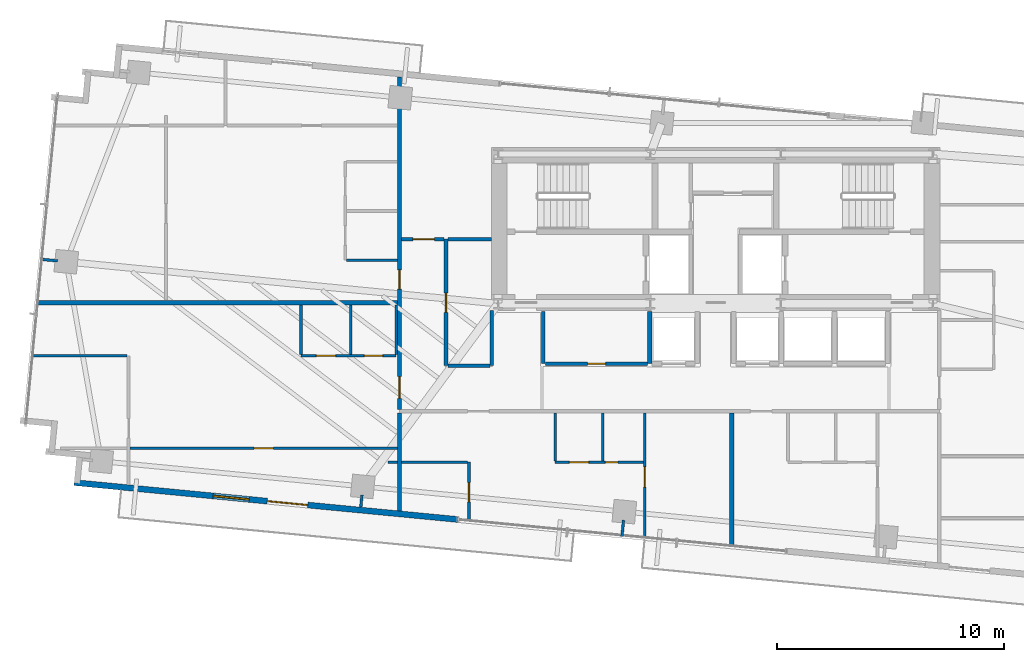
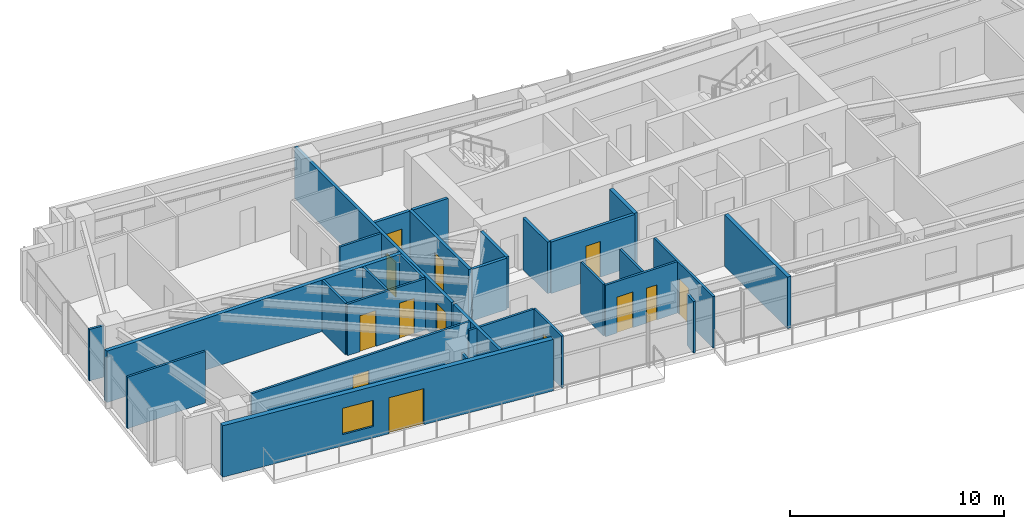
# One storey, part 15 of 20: 30 walls, 13 doors, 1 window, 14 openings.
"""IFC4 building model written with IfcOpenShell, lengths in metres."""

from ifc_helpers import new_model, si_unit, direction, frame, frame_2d, origin, place, context, subcontext, project, spatial, rectangle, extrude, source, transform, mapped, material, layer, layer_set, type_object, type_shapes, element, fill, save


model = new_model("IFC4")

# Units and contexts
model_context = context("Model", 3, precision=1e-05, world=origin(), true_north=direction((0.0, 1.0)))
body_context = subcontext(model_context, "Body", "Model", "MODEL_VIEW")
ifc_project = project(units=[si_unit("LENGTHUNIT", "METRE"), si_unit("AREAUNIT", "SQUARE_METRE"), si_unit("VOLUMEUNIT", "CUBIC_METRE"), si_unit("PLANEANGLEUNIT", "RADIAN"), si_unit("MASSUNIT", "GRAM", prefix="KILO")], contexts=[model_context])

# Site, building, storey
site_placement = place(None, origin())
site = spatial("IfcSite", under=ifc_project, at=site_placement, CompositionType="ELEMENT")
building_placement = place(site_placement, origin())
building = spatial("IfcBuilding", under=site, at=building_placement, Name="Astriad Promenade Condominiums", CompositionType="ELEMENT")
storey_placement = place(building_placement, frame((0.0, 0.0, 131.0)))
storey = spatial("IfcBuildingStorey", under=building, at=storey_placement, Name="L37", CompositionType="ELEMENT", Elevation=131.0)

# Wall
ifc_material_1 = material(Name="Fire-Rated Gypsum Partition")
ifc_layer_1 = layer(ifc_material_1, 0.159912109375)
ifc_layer_set_1 = layer_set([ifc_layer_1], Name="Fire-Rated Gypsum Partition")
wall_type_1 = type_object("IfcWallType", Name="WALL-CORR-160", PredefinedType="PARTITIONING", material=ifc_layer_set_1)
wall_1_placement = place(storey_placement, frame((28.39990234375, 14.75, 0.0), z_axis=(0.0, 0.0, 1.0), x_axis=(0.0, 1.0, 0.0)))
element("IfcWall", 1, at=wall_1_placement, inside=storey, type_object=wall_type_1, Name="REC-L-W-L37", PredefinedType="PARTITIONING", context=body_context, shape_type="SweptSolid", body=[
    extrude(rectangle(XDim=2.300048828125, YDim=0.159912109375, at=frame_2d((1.14990234375, 0.0))), origin(), (0.0, 0.0, 1.0), 2.93994140625),
])

# Wall, opening, door
wall_2_placement = place(storey_placement, frame((28.48193359375, 14.75, 0.0), z_axis=(0.0, 0.0, 1.0), x_axis=(1.0, 0.0, 0.0)))
wall_2 = element("IfcWall", 2, at=wall_2_placement, inside=storey, type_object=wall_type_1, Name="REC-L-S-L37", PredefinedType="PARTITIONING", context=body_context, shape_type="SweptSolid", body=[
    extrude(rectangle(XDim=4.51611328125, YDim=0.159912109375, at=frame_2d((2.258056640625, 0.0))), origin(), (0.0, 0.0, 1.0), 2.93994140625),
])
opening_1_placement = place(wall_2_placement, frame((1.867919921875, 0.0, 0.0)))
opening_1 = element("IfcOpeningElement", 3, at=opening_1_placement, cuts=wall_2, Name="Opening FD60-SV-080", PredefinedType="OPENING", context=body_context, shape_type="SweptSolid", body=[
    extrude(rectangle(XDim=0.800048828125, YDim=2.050048828125, at=frame_2d((0.39990234375, 1.02490234375))), frame((0.0, 0.08984375, 0.0), z_axis=(0.0, -1.0, 0.0), x_axis=(1.0, 0.0, 0.0)), (0.0, 0.0, 1.0), 0.179931640625),
])
ifc_material_2 = material(Name="Fire-Rated Riser Closet Door")
door_type_1 = type_object("IfcDoorType", Name="FD60-SV-080", OperationType="NOTDEFINED", PredefinedType="DOOR", material=ifc_material_2)
shared_shape_1 = source(origin(), body_context, "Body", "SweptSolid", [
    extrude(rectangle(XDim=0.800048828125, YDim=2.050048828125, at=frame_2d((0.39990234375, 1.02490234375))), frame((0.0, 0.02490234375, 0.0), z_axis=(0.0, -1.0, 0.0), x_axis=(1.0, 0.0, 0.0)), (0.0, 0.0, 1.0), 0.050048828125),
])
type_shapes(door_type_1, [shared_shape_1])
door_1_placement = place(opening_1_placement, origin())
door_1 = element("IfcDoor", 4, at=door_1_placement, inside=storey, type_object=door_type_1, Name="D-RECL-L37", OperationType="SINGLE_SWING_LEFT", OverallHeight=2.050048828125, OverallWidth=0.800048828125, PredefinedType="DOOR", context=body_context, shape_type="MappedRepresentation", body=[
    mapped(shared_shape_1, transform((0.0, 0.0, 0.0), scale=1.0)),
])
fill(opening_1, door_1)

# Wall
wall_3_placement = place(storey_placement, frame((22.050048828125, 8.253173828125, 0.0), z_axis=(0.0, 0.0, 1.0), x_axis=(0.0, 1.0, 0.0)))
element("IfcWall", 5, at=wall_3_placement, inside=storey, type_object=wall_type_1, Name="PT-COR-W-L37", PredefinedType="PARTITIONING", context=body_context, shape_type="SweptSolid", body=[
    extrude(rectangle(XDim=4.31494140625, YDim=0.159912109375, at=frame_2d((2.157470703125, 0.0))), origin(), (0.0, 0.0, 1.0), 2.93994140625),
])

# Wall, openings, doors
wall_4_placement = place(storey_placement, frame((22.050048828125, 12.73193359375, 0.0), z_axis=(0.0, 0.0, 1.0), x_axis=(0.0, 1.0, 0.0)))
wall_4 = element("IfcWall", 6, at=wall_4_placement, inside=storey, type_object=wall_type_1, Name="PT-COR-W-L37-S2", PredefinedType="PARTITIONING", context=body_context, shape_type="SweptSolid", body=[
    extrude(rectangle(XDim=14.685302734375, YDim=0.159912109375, at=frame_2d((7.3427734375, 0.0))), origin(), (0.0, 0.0, 1.0), 2.93994140625),
])
opening_2_placement = place(wall_4_placement, frame((0.492919921875, 0.0, 0.0)))
opening_2 = element("IfcOpeningElement", 7, at=opening_2_placement, cuts=wall_4, Name="Opening FD60-APT-095", PredefinedType="OPENING", context=body_context, shape_type="SweptSolid", body=[
    extrude(rectangle(XDim=0.949951171875, YDim=2.06005859375, at=frame_2d((0.47509765625, 1.030029296875))), frame((0.0, 0.08984375, 0.0), z_axis=(0.0, -1.0, 0.0), x_axis=(1.0, 0.0, 0.0)), (0.0, 0.0, 1.0), 0.179931640625),
])
opening_3_placement = place(wall_4_placement, frame((5.31298828125, 0.0, 0.0)))
opening_3 = element("IfcOpeningElement", 8, at=opening_3_placement, cuts=wall_4, Name="Opening FD60-ULOW-085", PredefinedType="OPENING", context=body_context, shape_type="SweptSolid", body=[
    extrude(rectangle(XDim=0.85009765625, YDim=2.0, at=frame_2d((0.425048828125, 1.0))), frame((0.0, 0.08984375, 0.0), z_axis=(0.0, -1.0, 0.0), x_axis=(1.0, 0.0, 0.0)), (0.0, 0.0, 1.0), 0.179931640625),
])
ifc_material_3 = material(Name="Solid-Core Acoustic Timber Residence Entry Door", Category="wood")
door_type_2 = type_object("IfcDoorType", Name="FD60-APT-095", OperationType="NOTDEFINED", PredefinedType="DOOR", material=ifc_material_3)
shared_shape_2 = source(origin(), body_context, "Body", "SweptSolid", [
    extrude(rectangle(XDim=0.949951171875, YDim=2.06005859375, at=frame_2d((0.47509765625, 1.030029296875))), frame((0.0, 0.02490234375, 0.0), z_axis=(0.0, -1.0, 0.0), x_axis=(1.0, 0.0, 0.0)), (0.0, 0.0, 1.0), 0.050048828125),
])
type_shapes(door_type_2, [shared_shape_2])
door_2_placement = place(opening_2_placement, origin())
door_2 = element("IfcDoor", 9, at=door_2_placement, inside=storey, type_object=door_type_2, Name="D-ENT-L37-W1", OperationType="SINGLE_SWING_LEFT", OverallHeight=2.06005859375, OverallWidth=0.949951171875, PredefinedType="DOOR", context=body_context, shape_type="MappedRepresentation", body=[
    mapped(shared_shape_2, transform((0.0, 0.0, 0.0), scale=1.0)),
])
fill(opening_2, door_2)
ifc_material_4 = material(Name="Solid-Core Low-Headroom Fire Door")
door_type_3 = type_object("IfcDoorType", Name="FD60-ULOW-085", OperationType="NOTDEFINED", PredefinedType="DOOR", material=ifc_material_4)
shared_shape_3 = source(origin(), body_context, "Body", "SweptSolid", [
    extrude(rectangle(XDim=0.85009765625, YDim=2.0, at=frame_2d((0.425048828125, 1.0))), frame((0.0, 0.02490234375, 0.0), z_axis=(0.0, -1.0, 0.0), x_axis=(1.0, 0.0, 0.0)), (0.0, 0.0, 1.0), 0.050048828125),
])
type_shapes(door_type_3, [shared_shape_3])
door_3_placement = place(opening_3_placement, origin())
door_3 = element("IfcDoor", 10, at=door_3_placement, inside=storey, type_object=door_type_3, Name="D-ENT-L37-W2", OperationType="SINGLE_SWING_RIGHT", OverallHeight=2.0, OverallWidth=0.85009765625, PredefinedType="DOOR", context=body_context, shape_type="MappedRepresentation", body=[
    mapped(shared_shape_3, transform((0.0, 0.0, 0.0), scale=1.0)),
])
fill(opening_3, door_3)

# Wall, opening, door
wall_5_placement = place(storey_placement, frame((24.10009765625, 14.659912109375, 0.0), z_axis=(0.0, 0.0, 1.0), x_axis=(0.0, 1.0, 0.0)))
wall_5 = element("IfcWall", 11, at=wall_5_placement, inside=storey, type_object=wall_type_1, Name="PT-HK-E-L37", PredefinedType="PARTITIONING", context=body_context, shape_type="SweptSolid", body=[
    extrude(rectangle(XDim=5.590087890625, YDim=0.159912109375, at=frame_2d((2.794921875, 0.0))), origin(), (0.0, 0.0, 1.0), 2.93994140625),
])
opening_4_placement = place(wall_5_placement, frame((2.360107421875, 0.0, 0.0)))
opening_4 = element("IfcOpeningElement", 12, at=opening_4_placement, cuts=wall_5, Name="Opening FD60-ULOW-085", PredefinedType="OPENING", context=body_context, shape_type="SweptSolid", body=[
    extrude(rectangle(XDim=0.85009765625, YDim=2.0, at=frame_2d((0.425048828125, 1.0))), frame((0.0, 0.08984375, 0.0), z_axis=(0.0, -1.0, 0.0), x_axis=(1.0, 0.0, 0.0)), (0.0, 0.0, 1.0), 0.179931640625),
])
door_4_placement = place(opening_4_placement, origin())
door_4 = element("IfcDoor", 13, at=door_4_placement, inside=storey, type_object=door_type_3, Name="D-HKA-L37", OperationType="SINGLE_SWING_RIGHT", OverallHeight=2.0, OverallWidth=0.85009765625, PredefinedType="DOOR", context=body_context, shape_type="MappedRepresentation", body=[
    mapped(shared_shape_3, transform((0.0, 0.0, 0.0), scale=1.0)),
])
fill(opening_4, door_4)

wall_6_placement = place(storey_placement, frame((22.132080078125, 20.25, 0.0), z_axis=(0.0, 0.0, 1.0), x_axis=(1.0, 0.0, 0.0)))
wall_6 = element("IfcWall", 14, at=wall_6_placement, inside=storey, type_object=wall_type_1, Name="PT-HK-N-L37", PredefinedType="PARTITIONING", context=body_context, shape_type="SweptSolid", body=[
    extrude(rectangle(XDim=1.885986328125, YDim=0.159912109375, at=frame_2d((0.94287109375, 0.0))), origin(), (0.0, 0.0, 1.0), 2.93994140625),
])
opening_5_placement = place(wall_6_placement, frame((0.508056640625, 0.0, 0.0)))
opening_5 = element("IfcOpeningElement", 15, at=opening_5_placement, cuts=wall_6, Name="Opening FD60-APT-095", PredefinedType="OPENING", context=body_context, shape_type="SweptSolid", body=[
    extrude(rectangle(XDim=0.949951171875, YDim=2.06005859375, at=frame_2d((0.47509765625, 1.030029296875))), frame((0.0, 0.08984375, 0.0), z_axis=(0.0, -1.0, 0.0), x_axis=(1.0, 0.0, 0.0)), (0.0, 0.0, 1.0), 0.179931640625),
])
door_5_placement = place(opening_5_placement, origin())
door_5 = element("IfcDoor", 16, at=door_5_placement, inside=storey, type_object=door_type_2, Name="D-HKB-L37", OperationType="SINGLE_SWING_LEFT", OverallHeight=2.06005859375, OverallWidth=0.949951171875, PredefinedType="DOOR", context=body_context, shape_type="MappedRepresentation", body=[
    mapped(shared_shape_2, transform((0.0, 0.0, 0.0), scale=1.0)),
])
fill(opening_5, door_5)

# Walls
wall_7_placement = place(storey_placement, frame((24.181884765625, 20.25, 0.0), z_axis=(0.0, 0.0, 1.0), x_axis=(1.0, 0.0, 0.0)))
element("IfcWall", 17, at=wall_7_placement, inside=storey, type_object=wall_type_1, Name="PT-HK-N-L37-S2", PredefinedType="PARTITIONING", context=body_context, shape_type="SweptSolid", body=[
    extrude(rectangle(XDim=1.916015625, YDim=0.159912109375, at=frame_2d((0.9580078125, 0.0))), origin(), (0.0, 0.0, 1.0), 2.93994140625),
])
wall_8_placement = place(storey_placement, frame((26.1201171875, 14.659912109375, 0.0), z_axis=(0.0, 0.0, 1.0), x_axis=(0.0, 1.0, 0.0)))
element("IfcWall", 18, at=wall_8_placement, inside=storey, type_object=wall_type_1, Name="PT-WSPUR-W-L37", PredefinedType="PARTITIONING", context=body_context, shape_type="SweptSolid", body=[
    extrude(rectangle(XDim=2.43798828125, YDim=0.159912109375, at=frame_2d((1.218994140625, 0.0))), origin(), (0.0, 0.0, 1.0), 2.93994140625),
])
wall_9_placement = place(storey_placement, frame((24.181884765625, 14.659912109375, 0.0), z_axis=(0.0, 0.0, 1.0), x_axis=(1.0, 0.0, 0.0)))
element("IfcWall", 19, at=wall_9_placement, inside=storey, type_object=wall_type_1, Name="PT-HK-S-L37", PredefinedType="PARTITIONING", context=body_context, shape_type="SweptSolid", body=[
    extrude(rectangle(XDim=1.856201171875, YDim=0.159912109375, at=frame_2d((0.92822265625, 0.0))), origin(), (0.0, 0.0, 1.0), 2.93994140625),
])
ifc_material_5 = material(Name="Acoustic Double-Stud Gypsum Partition")
ifc_layer_2 = layer(ifc_material_5, 0.199951171875)
ifc_layer_set_2 = layer_set([ifc_layer_2], Name="Acoustic Double-Stud Gypsum Partition")
wall_type_2 = type_object("IfcWallType", Name="WALL-DEMISING-200", PredefinedType="PARTITIONING", material=ifc_layer_set_2)
wall_10_placement = place(storey_placement, frame((36.719970703125, 6.65771484375, 0.0), z_axis=(0.0, 0.0, 1.0), x_axis=(0.0, 1.0, 0.0)))
element("IfcWall", 20, at=wall_10_placement, inside=storey, type_object=wall_type_2, Name="PT-DEM-S1-L37", PredefinedType="PARTITIONING", context=body_context, shape_type="SweptSolid", body=[
    extrude(rectangle(XDim=5.910400390625, YDim=0.199951171875, at=frame_2d((2.955078125, 0.0))), origin(), (0.0, 0.0, 1.0), 2.93994140625),
])
wall_11_placement = place(storey_placement, frame((6.01904296875, 17.449951171875, 0.0), z_axis=(0.0, 0.0, 1.0), x_axis=(1.0, 0.0, 0.0)))
element("IfcWall", 21, at=wall_11_placement, inside=storey, type_object=wall_type_2, Name="PT-DEM-WW-L37", PredefinedType="PARTITIONING", context=body_context, shape_type="SweptSolid", body=[
    extrude(rectangle(XDim=15.948974609375, YDim=0.199951171875, at=frame_2d((7.974609375, 0.0))), origin(), (0.0, 0.0, 1.0), 2.93994140625),
])

# Wall, openings, door, window
ifc_material_6 = material(Name="Precast concrete C50/60", Category="concrete")
ifc_layer_3 = layer(ifc_material_6, 0.260009765625)
ifc_layer_set_3 = layer_set([ifc_layer_3], Name="Precast concrete C50/60")
wall_type_3 = type_object("IfcWallType", Name="WALL-EXT-TWR-260", PredefinedType="STANDARD", material=ifc_layer_set_3)
wall_12_placement = place(storey_placement, frame((24.61669921875, 7.873291015625, 0.0), z_axis=(0.0, 0.0, 1.0), x_axis=(-0.995395976631, 0.095848055311, 0.0)))
wall_12 = element("IfcWall", 22, at=wall_12_placement, inside=storey, type_object=wall_type_3, Name="W-EXT-L37-S2", PredefinedType="STANDARD", context=body_context, shape_type="SweptSolid", body=[
    extrude(rectangle(XDim=17.010009765625, YDim=0.260009765625, at=frame_2d((8.5048828125, 0.0))), origin(), (0.0, 0.0, 1.0), 2.93994140625),
])
opening_6_placement = place(wall_12_placement, frame((6.64990234375, 0.0, 0.0)))
opening_6 = element("IfcOpeningElement", 23, at=opening_6_placement, cuts=wall_12, Name="Opening BD-1822-SLD", PredefinedType="OPENING", context=body_context, shape_type="SweptSolid", body=[
    extrude(rectangle(XDim=1.800048828125, YDim=2.06005859375, at=frame_2d((0.89990234375, 1.030029296875))), frame((0.0, 0.139892578125, 0.0), z_axis=(0.0, -1.0, 0.0), x_axis=(1.0, 0.0, 0.0)), (0.0, 0.0, 1.0), 0.280029296875),
])
opening_7_placement = place(wall_12_placement, frame((9.25, 0.0, 0.64990234375)))
opening_7 = element("IfcOpeningElement", 24, at=opening_7_placement, cuts=wall_12, Name="Opening WIN-TWR-1620", PredefinedType="OPENING", context=body_context, shape_type="SweptSolid", body=[
    extrude(rectangle(XDim=1.60009765625, YDim=1.5, at=frame_2d((0.800048828125, 0.75))), frame((0.0, 0.139892578125, 0.0), z_axis=(0.0, -1.0, 0.0), x_axis=(1.0, 0.0, 0.0)), (0.0, 0.0, 1.0), 0.280029296875),
])
ifc_material_7 = material(Name="Thermally Broken Aluminium Sliding Balcony Door", Category="aluminium")
door_type_4 = type_object("IfcDoorType", Name="BD-1822-SLD", OperationType="NOTDEFINED", PredefinedType="DOOR", material=ifc_material_7)
shared_shape_4 = source(origin(), body_context, "Body", "SweptSolid", [
    extrude(rectangle(XDim=1.800048828125, YDim=2.06005859375, at=frame_2d((0.89990234375, 1.030029296875))), frame((0.0, 0.02490234375, 0.0), z_axis=(0.0, -1.0, 0.0), x_axis=(1.0, 0.0, 0.0)), (0.0, 0.0, 1.0), 0.050048828125),
])
type_shapes(door_type_4, [shared_shape_4])
door_6_placement = place(opening_6_placement, origin())
door_6 = element("IfcDoor", 25, at=door_6_placement, inside=storey, type_object=door_type_4, Name="BD-L37-SW", OperationType="SLIDING_TO_LEFT", OverallHeight=2.06005859375, OverallWidth=1.800048828125, PredefinedType="DOOR", context=body_context, shape_type="MappedRepresentation", body=[
    mapped(shared_shape_4, transform((0.0, 0.0, 0.0), scale=1.0)),
])
fill(opening_6, door_6)
ifc_material_8 = material(Name="Dark Tinted Triple-Glazed Aluminium Window", Category="aluminium")
window_type = type_object("IfcWindowType", Name="WIN-TWR-1620", PartitioningType="SINGLE_PANEL", PredefinedType="WINDOW", material=ifc_material_8)
shared_shape_5 = source(origin(), body_context, "Body", "SweptSolid", [
    extrude(rectangle(XDim=1.60009765625, YDim=1.5, at=frame_2d((0.800048828125, 0.75))), frame((0.0, 0.030029296875, 0.0), z_axis=(0.0, -1.0, 0.0), x_axis=(1.0, 0.0, 0.0)), (0.0, 0.0, 1.0), 0.06005859375),
])
type_shapes(window_type, [shared_shape_5])
window_placement = place(opening_7_placement, origin())
window = element("IfcWindow", 26, at=window_placement, inside=storey, type_object=window_type, Name="WIN-L37-SW", OverallHeight=1.5, OverallWidth=1.60009765625, PartitioningType="SINGLE_PANEL", PredefinedType="WINDOW", context=body_context, shape_type="MappedRepresentation", body=[
    mapped(shared_shape_5, transform((0.0, 0.0, 0.0), scale=1.0)),
])
fill(opening_7, window)

# Wall, opening, door
ifc_material_9 = material(Name="Acoustic Metal-Stud Gypsum Partition")
ifc_layer_4 = layer(ifc_material_9, 0.1201171875)
ifc_layer_set_4 = layer_set([ifc_layer_4], Name="Acoustic Metal-Stud Gypsum Partition")
wall_type_4 = type_object("IfcWallType", Name="WALL-PART-120", PredefinedType="PARTITIONING", material=ifc_layer_set_4)
wall_13_placement = place(storey_placement, frame((32.8701171875, 7.0283203125, 0.0), z_axis=(0.0, 0.0, 1.0), x_axis=(0.0, 1.0, 0.0)))
wall_13 = element("IfcWall", 27, at=wall_13_placement, inside=storey, type_object=wall_type_4, Name="PT-L37-S1-BD1", PredefinedType="PARTITIONING", context=body_context, shape_type="SweptSolid", body=[
    extrude(rectangle(XDim=5.539794921875, YDim=0.1201171875, at=frame_2d((2.77001953125, 0.0))), origin(), (0.0, 0.0, 1.0), 2.93994140625),
])
opening_8_placement = place(wall_13_placement, frame((2.271728515625, 0.0, 0.0)))
opening_8 = element("IfcOpeningElement", 28, at=opening_8_placement, cuts=wall_13, Name="Opening D-INT-090", PredefinedType="OPENING", context=body_context, shape_type="SweptSolid", body=[
    extrude(rectangle(XDim=0.89990234375, YDim=2.050048828125, at=frame_2d((0.449951171875, 1.02490234375))), frame((0.0, 0.070068359375, 0.0), z_axis=(0.0, -1.0, 0.0), x_axis=(1.0, 0.0, 0.0)), (0.0, 0.0, 1.0), 0.14013671875),
])
ifc_material_10 = material(Name="Painted Solid-Core Timber Bedroom Door", Category="wood")
door_type_5 = type_object("IfcDoorType", Name="D-INT-090", OperationType="NOTDEFINED", PredefinedType="DOOR", material=ifc_material_10)
shared_shape_6 = source(origin(), body_context, "Body", "SweptSolid", [
    extrude(rectangle(XDim=0.89990234375, YDim=2.050048828125, at=frame_2d((0.449951171875, 1.02490234375))), frame((0.0, 0.02490234375, 0.0), z_axis=(0.0, -1.0, 0.0), x_axis=(1.0, 0.0, 0.0)), (0.0, 0.0, 1.0), 0.050048828125),
])
type_shapes(door_type_5, [shared_shape_6])
door_7_placement = place(opening_8_placement, origin())
door_7 = element("IfcDoor", 29, at=door_7_placement, inside=storey, type_object=door_type_5, Name="D-BD1-L37-S1", OperationType="SINGLE_SWING_RIGHT", OverallHeight=2.050048828125, OverallWidth=0.89990234375, PredefinedType="DOOR", context=body_context, shape_type="MappedRepresentation", body=[
    mapped(shared_shape_6, transform((0.0, 0.0, 0.0), scale=1.0)),
])
fill(opening_8, door_7)

# Wall, openings, doors
wall_14_placement = place(storey_placement, frame((28.919921875, 10.39990234375, 0.0), z_axis=(0.0, 0.0, 1.0), x_axis=(1.0, 0.0, 0.0)))
wall_14 = element("IfcWall", 30, at=wall_14_placement, inside=storey, type_object=wall_type_4, Name="PT-L37-S1-PS", PredefinedType="PARTITIONING", context=body_context, shape_type="SweptSolid", body=[
    extrude(rectangle(XDim=3.88818359375, YDim=0.1201171875, at=frame_2d((1.944091796875, 0.0))), origin(), (0.0, 0.0, 1.0), 2.93994140625),
])
opening_9_placement = place(wall_14_placement, frame((0.625, 0.0, 0.0)))
opening_9 = element("IfcOpeningElement", 31, at=opening_9_placement, cuts=wall_14, Name="Opening D-INT-085", PredefinedType="OPENING", context=body_context, shape_type="SweptSolid", body=[
    extrude(rectangle(XDim=0.85009765625, YDim=2.050048828125, at=frame_2d((0.425048828125, 1.02490234375))), frame((0.0, 0.070068359375, 0.0), z_axis=(0.0, -1.0, 0.0), x_axis=(1.0, 0.0, 0.0)), (0.0, 0.0, 1.0), 0.14013671875),
])
opening_10_placement = place(wall_14_placement, frame((2.219970703125, 0.0, 0.0)))
opening_10 = element("IfcOpeningElement", 32, at=opening_10_placement, cuts=wall_14, Name="Opening D-AC-055", PredefinedType="OPENING", context=body_context, shape_type="SweptSolid", body=[
    extrude(rectangle(XDim=0.550048828125, YDim=2.0, at=frame_2d((0.27490234375, 1.0))), frame((0.0, 0.070068359375, 0.0), z_axis=(0.0, -1.0, 0.0), x_axis=(1.0, 0.0, 0.0)), (0.0, 0.0, 1.0), 0.14013671875),
])
ifc_material_11 = material(Name="Painted Solid-Core Timber Room Door", Category="wood")
door_type_6 = type_object("IfcDoorType", Name="D-INT-085", OperationType="NOTDEFINED", PredefinedType="DOOR", material=ifc_material_11)
shared_shape_7 = source(origin(), body_context, "Body", "SweptSolid", [
    extrude(rectangle(XDim=0.85009765625, YDim=2.050048828125, at=frame_2d((0.425048828125, 1.02490234375))), frame((0.0, 0.02490234375, 0.0), z_axis=(0.0, -1.0, 0.0), x_axis=(1.0, 0.0, 0.0)), (0.0, 0.0, 1.0), 0.050048828125),
])
type_shapes(door_type_6, [shared_shape_7])
door_8_placement = place(opening_9_placement, origin())
door_8 = element("IfcDoor", 33, at=door_8_placement, inside=storey, type_object=door_type_6, Name="D-KIT-L37-S1", OperationType="SINGLE_SWING_LEFT", OverallHeight=2.050048828125, OverallWidth=0.85009765625, PredefinedType="DOOR", context=body_context, shape_type="MappedRepresentation", body=[
    mapped(shared_shape_7, transform((0.0, 0.0, 0.0), scale=1.0)),
])
fill(opening_9, door_8)
ifc_material_12 = material(Name="Painted Timber Access Door", Category="wood")
door_type_7 = type_object("IfcDoorType", Name="D-AC-055", OperationType="NOTDEFINED", PredefinedType="DOOR", material=ifc_material_12)
shared_shape_8 = source(origin(), body_context, "Body", "SweptSolid", [
    extrude(rectangle(XDim=0.550048828125, YDim=2.0, at=frame_2d((0.27490234375, 1.0))), frame((0.0, 0.02490234375, 0.0), z_axis=(0.0, -1.0, 0.0), x_axis=(1.0, 0.0, 0.0)), (0.0, 0.0, 1.0), 0.050048828125),
])
type_shapes(door_type_7, [shared_shape_8])
door_9_placement = place(opening_10_placement, origin())
door_9 = element("IfcDoor", 34, at=door_9_placement, inside=storey, type_object=door_type_7, Name="D-BTH-L37-S1", OperationType="SINGLE_SWING_RIGHT", OverallHeight=2.0, OverallWidth=0.550048828125, PredefinedType="DOOR", context=body_context, shape_type="MappedRepresentation", body=[
    mapped(shared_shape_8, transform((0.0, 0.0, 0.0), scale=1.0)),
])
fill(opening_10, door_9)

# Walls
for number, where, z_axis, x_axis, name in (
    (35, (31.02001953125, 10.4619140625, 0.0), (0.0, 0.0, 1.0), (0.0, 1.0, 0.0), "PT-L37-S1-PBK"),
    (36, (28.919921875, 10.4619140625, 0.0), (0.0, 0.0, 1.0), (0.0, 1.0, 0.0), "PT-L37-S1-PKW"),
):
    element("IfcWall", number, at=place(storey_placement, frame(where, z_axis=z_axis, x_axis=x_axis)), inside=storey, type_object=wall_type_4, Name=name, PredefinedType="PARTITIONING", context=body_context, shape_type="SweptSolid", body=[
        extrude(rectangle(XDim=2.106201171875, YDim=0.1201171875, at=frame_2d((1.05322265625, 0.0))), origin(), (0.0, 0.0, 1.0), 2.93994140625),
    ])

# Wall, opening, door
wall_15_placement = place(storey_placement, frame((25.117919921875, 7.77490234375, 0.0), z_axis=(0.0, 0.0, 1.0), x_axis=(0.0, 1.0, 0.0)))
wall_15 = element("IfcWall", 37, at=wall_15_placement, inside=storey, type_object=wall_type_4, Name="PT-L37-S1-EXV", PredefinedType="PARTITIONING", context=body_context, shape_type="SweptSolid", body=[
    extrude(rectangle(XDim=2.625, YDim=0.1201171875, at=frame_2d((1.3125, 0.0))), origin(), (0.0, 0.0, 1.0), 2.93994140625),
])
opening_11_placement = place(wall_15_placement, frame((0.880126953125, 0.0, 0.0)))
opening_11 = element("IfcOpeningElement", 38, at=opening_11_placement, cuts=wall_15, Name="Opening D-INT-085", PredefinedType="OPENING", context=body_context, shape_type="SweptSolid", body=[
    extrude(rectangle(XDim=0.85009765625, YDim=2.050048828125, at=frame_2d((0.425048828125, 1.02490234375))), frame((0.0, 0.070068359375, 0.0), z_axis=(0.0, -1.0, 0.0), x_axis=(1.0, 0.0, 0.0)), (0.0, 0.0, 1.0), 0.14013671875),
])
door_10_placement = place(opening_11_placement, origin())
door_10 = element("IfcDoor", 39, at=door_10_placement, inside=storey, type_object=door_type_6, Name="D-EX-L37-S1", OperationType="SINGLE_SWING_RIGHT", OverallHeight=2.050048828125, OverallWidth=0.85009765625, PredefinedType="DOOR", context=body_context, shape_type="MappedRepresentation", body=[
    mapped(shared_shape_7, transform((0.0, 0.0, 0.0), scale=1.0)),
])
fill(opening_11, door_10)

# Walls
wall_16_placement = place(storey_placement, frame((21.550048828125, 10.39990234375, 0.0), z_axis=(0.0, 0.0, 1.0), x_axis=(1.0, 0.0, 0.0)))
element("IfcWall", 40, at=wall_16_placement, inside=storey, type_object=wall_type_4, Name="PT-L37-S1-EXH", PredefinedType="PARTITIONING", context=body_context, shape_type="SweptSolid", body=[
    extrude(rectangle(XDim=0.41796875, YDim=0.1201171875, at=frame_2d((0.208984375, 0.0))), origin(), (0.0, 0.0, 1.0), 2.93994140625),
])
wall_17_placement = place(storey_placement, frame((22.132080078125, 10.39990234375, 0.0), z_axis=(0.0, 0.0, 1.0), x_axis=(1.0, 0.0, 0.0)))
element("IfcWall", 41, at=wall_17_placement, inside=storey, type_object=wall_type_4, Name="PT-L37-S1-EXH-S2", PredefinedType="PARTITIONING", context=body_context, shape_type="SweptSolid", body=[
    extrude(rectangle(XDim=2.923828125, YDim=0.1201171875, at=frame_2d((1.4619140625, 0.0))), origin(), (0.0, 0.0, 1.0), 2.93994140625),
])

# Wall, openings, doors
wall_18_placement = place(storey_placement, frame((17.699951171875, 15.10009765625, 0.0), z_axis=(0.0, 0.0, 1.0), x_axis=(1.0, 0.0, 0.0)))
wall_18 = element("IfcWall", 42, at=wall_18_placement, inside=storey, type_object=wall_type_4, Name="PT-L37-W1-PH", PredefinedType="PARTITIONING", context=body_context, shape_type="SweptSolid", body=[
    extrude(rectangle(XDim=4.199951171875, YDim=0.1201171875, at=frame_2d((2.10009765625, 0.0))), origin(), (0.0, 0.0, 1.0), 2.93994140625),
])
opening_12_placement = place(wall_18_placement, frame((0.675048828125, 0.0, 0.0)))
opening_12 = element("IfcOpeningElement", 43, at=opening_12_placement, cuts=wall_18, Name="Opening D-INT-085", PredefinedType="OPENING", context=body_context, shape_type="SweptSolid", body=[
    extrude(rectangle(XDim=0.85009765625, YDim=2.050048828125, at=frame_2d((0.425048828125, 1.02490234375))), frame((0.0, 0.070068359375, 0.0), z_axis=(0.0, -1.0, 0.0), x_axis=(1.0, 0.0, 0.0)), (0.0, 0.0, 1.0), 0.14013671875),
])
opening_13_placement = place(wall_18_placement, frame((2.800048828125, 0.0, 0.0)))
opening_13 = element("IfcOpeningElement", 44, at=opening_13_placement, cuts=wall_18, Name="Opening D-WET-080", PredefinedType="OPENING", context=body_context, shape_type="SweptSolid", body=[
    extrude(rectangle(XDim=0.800048828125, YDim=2.02001953125, at=frame_2d((0.39990234375, 1.010009765625))), frame((0.0, 0.070068359375, 0.0), z_axis=(0.0, -1.0, 0.0), x_axis=(1.0, 0.0, 0.0)), (0.0, 0.0, 1.0), 0.14013671875),
])
ifc_material_13 = material(Name="Moisture-Resistant Timber Bathroom Door", Category="wood")
door_type_8 = type_object("IfcDoorType", Name="D-WET-080", OperationType="NOTDEFINED", PredefinedType="DOOR", material=ifc_material_13)
shared_shape_9 = source(origin(), body_context, "Body", "SweptSolid", [
    extrude(rectangle(XDim=0.800048828125, YDim=2.02001953125, at=frame_2d((0.39990234375, 1.010009765625))), frame((0.0, 0.02490234375, 0.0), z_axis=(0.0, -1.0, 0.0), x_axis=(1.0, 0.0, 0.0)), (0.0, 0.0, 1.0), 0.050048828125),
])
type_shapes(door_type_8, [shared_shape_9])
door_11_placement = place(opening_13_placement, origin())
door_11 = element("IfcDoor", 45, at=door_11_placement, inside=storey, type_object=door_type_8, Name="D-BTH-L37-W1", OperationType="SINGLE_SWING_LEFT", OverallHeight=2.02001953125, OverallWidth=0.800048828125, PredefinedType="DOOR", context=body_context, shape_type="MappedRepresentation", body=[
    mapped(shared_shape_9, transform((0.0, 0.0, 0.0), scale=1.0)),
])
fill(opening_13, door_11)
door_12_placement = place(opening_12_placement, origin())
door_12 = element("IfcDoor", 46, at=door_12_placement, inside=storey, type_object=door_type_6, Name="D-KIT-L37-W1", OperationType="SINGLE_SWING_RIGHT", OverallHeight=2.050048828125, OverallWidth=0.85009765625, PredefinedType="DOOR", context=body_context, shape_type="MappedRepresentation", body=[
    mapped(shared_shape_7, transform((0.0, 0.0, 0.0), scale=1.0)),
])
fill(opening_12, door_12)

# Walls
for number, where, z_axis, x_axis, name in (
    (47, (17.699951171875, 15.162109375, 0.0), (0.0, 0.0, 1.0), (0.0, 1.0, 0.0), "PT-L37-W1-PK1"),
    (48, (19.89990234375, 15.162109375, 0.0), (0.0, 0.0, 1.0), (0.0, 1.0, 0.0), "PT-L37-W1-PK2"),
    (49, (21.89990234375, 15.162109375, 0.0), (0.0, 0.0, 1.0), (0.0, 1.0, 0.0), "PT-L37-W1-PK3"),
):
    element("IfcWall", number, at=place(storey_placement, frame(where, z_axis=z_axis, x_axis=x_axis)), inside=storey, type_object=wall_type_4, Name=name, PredefinedType="PARTITIONING", context=body_context, shape_type="SweptSolid", body=[
        extrude(rectangle(XDim=2.185791015625, YDim=0.1201171875, at=frame_2d((1.0927734375, 0.0))), origin(), (0.0, 0.0, 1.0), 2.93994140625),
    ])
wall_19_placement = place(storey_placement, frame((5.792724609375, 15.10009765625, 0.0), z_axis=(0.0, 0.0, 1.0), x_axis=(1.0, 0.0, 0.0)))
element("IfcWall", 50, at=wall_19_placement, inside=storey, type_object=wall_type_4, Name="PT-L37-W1-CAP1H", PredefinedType="PARTITIONING", context=body_context, shape_type="SweptSolid", body=[
    extrude(rectangle(XDim=4.234375, YDim=0.1201171875, at=frame_2d((2.1171875, 0.0))), origin(), (0.0, 0.0, 1.0), 2.93994140625),
])

# Wall, opening, door
wall_20_placement = place(storey_placement, frame((10.15087890625, 11.01611328125, 0.0), z_axis=(0.0, 0.0, 1.0), x_axis=(1.0, 0.0, 0.0)))
wall_20 = element("IfcWall", 51, at=wall_20_placement, inside=storey, type_object=wall_type_4, Name="PT-L37-W1-CAPH2-S2", PredefinedType="PARTITIONING", context=body_context, shape_type="SweptSolid", body=[
    extrude(rectangle(XDim=11.817138671875, YDim=0.1201171875, at=frame_2d((5.90869140625, 0.0))), origin(), (0.0, 0.0, 1.0), 2.93994140625),
])
opening_14_placement = place(wall_20_placement, frame((5.48291015625, 0.0, 0.0)))
opening_14 = element("IfcOpeningElement", 52, at=opening_14_placement, cuts=wall_20, Name="Opening D-INT-085", PredefinedType="OPENING", context=body_context, shape_type="SweptSolid", body=[
    extrude(rectangle(XDim=0.85009765625, YDim=2.050048828125, at=frame_2d((0.425048828125, 1.02490234375))), frame((0.0, 0.070068359375, 0.0), z_axis=(0.0, -1.0, 0.0), x_axis=(1.0, 0.0, 0.0)), (0.0, 0.0, 1.0), 0.14013671875),
])
door_13_placement = place(opening_14_placement, origin())
door_13 = element("IfcDoor", 53, at=door_13_placement, inside=storey, type_object=door_type_6, Name="D-CAPH2-L37-W1", OperationType="SINGLE_SWING_LEFT", OverallHeight=2.050048828125, OverallWidth=0.85009765625, PredefinedType="DOOR", context=body_context, shape_type="MappedRepresentation", body=[
    mapped(shared_shape_7, transform((0.0, 0.0, 0.0), scale=1.0)),
])
fill(opening_14, door_13)

# Walls
wall_21_placement = place(storey_placement, frame((19.7119140625, 19.320068359375, 0.0), z_axis=(0.0, 0.0, 1.0), x_axis=(1.0, 0.0, 0.0)))
element("IfcWall", 54, at=wall_21_placement, inside=storey, type_object=wall_type_4, Name="PT-L37-W2-PS", PredefinedType="PARTITIONING", context=body_context, shape_type="SweptSolid", body=[
    extrude(rectangle(XDim=2.256103515625, YDim=0.1201171875, at=frame_2d((1.1279296875, 0.0))), origin(), (0.0, 0.0, 1.0), 2.93994140625),
])
wall_22_placement = place(storey_placement, frame((20.390869140625, 8.953125, 0.0), z_axis=(0.0, 0.0, 1.0), x_axis=(-0.096222656154, -0.995359834654, 0.0)))
element("IfcWall", 55, at=wall_22_placement, inside=storey, type_object=wall_type_4, Name="PT-PIL-L37-PC02-9", PredefinedType="PARTITIONING", context=body_context, shape_type="SweptSolid", body=[
    extrude(rectangle(XDim=0.537841796875, YDim=0.1201171875, at=frame_2d((0.26904296875, 0.0))), origin(), (0.0, 0.0, 1.0), 2.93994140625),
])
wall_23_placement = place(storey_placement, frame((31.9375, 7.84130859375, 0.0), z_axis=(0.0, 0.0, 1.0), x_axis=(-0.095977354523, -0.995383517755, 0.0)))
element("IfcWall", 56, at=wall_23_placement, inside=storey, type_object=wall_type_4, Name="PT-PIL-L37-PC03-10", PredefinedType="PARTITIONING", context=body_context, shape_type="SweptSolid", body=[
    extrude(rectangle(XDim=0.719970703125, YDim=0.1201171875, at=frame_2d((0.35986328125, 0.0))), origin(), (0.0, 0.0, 1.0), 2.93994140625),
])
wall_24_placement = place(storey_placement, frame((6.95947265625, 19.2880859375, 0.0), z_axis=(0.0, 0.0, 1.0), x_axis=(-0.995377786728, 0.096036772582, 0.0)))
element("IfcWall", 57, at=wall_24_placement, inside=storey, type_object=wall_type_4, Name="PT-PIL-L37-PC11-18", PredefinedType="PARTITIONING", context=body_context, shape_type="SweptSolid", body=[
    extrude(rectangle(XDim=0.760009765625, YDim=0.1201171875, at=frame_2d((0.3798828125, 0.0))), origin(), (0.0, 0.0, 1.0), 2.93994140625),
])
ifc_material_14 = material(Name="Gypsum Shaftliner Assembly")
ifc_layer_5 = layer(ifc_material_14, 0.199951171875)
ifc_layer_set_5 = layer_set([ifc_layer_5], Name="Gypsum Shaftliner Assembly")
wall_type_5 = type_object("IfcWallType", Name="WALL-SHAFT-200", PredefinedType="PARTITIONING", material=ifc_layer_set_5)
wall_25_placement = place(storey_placement, frame((33.10009765625, 14.75, 0.0), z_axis=(0.0, 0.0, 1.0), x_axis=(0.0, 1.0, 0.0)))
element("IfcWall", 58, at=wall_25_placement, inside=storey, type_object=wall_type_5, Name="REC-L-E-L37", PredefinedType="PARTITIONING", context=body_context, shape_type="SweptSolid", body=[
    extrude(rectangle(XDim=2.300048828125, YDim=0.199951171875, at=frame_2d((1.14990234375, 0.0))), origin(), (0.0, 0.0, 1.0), 2.93994140625),
])

save(model, "model.ifc")
